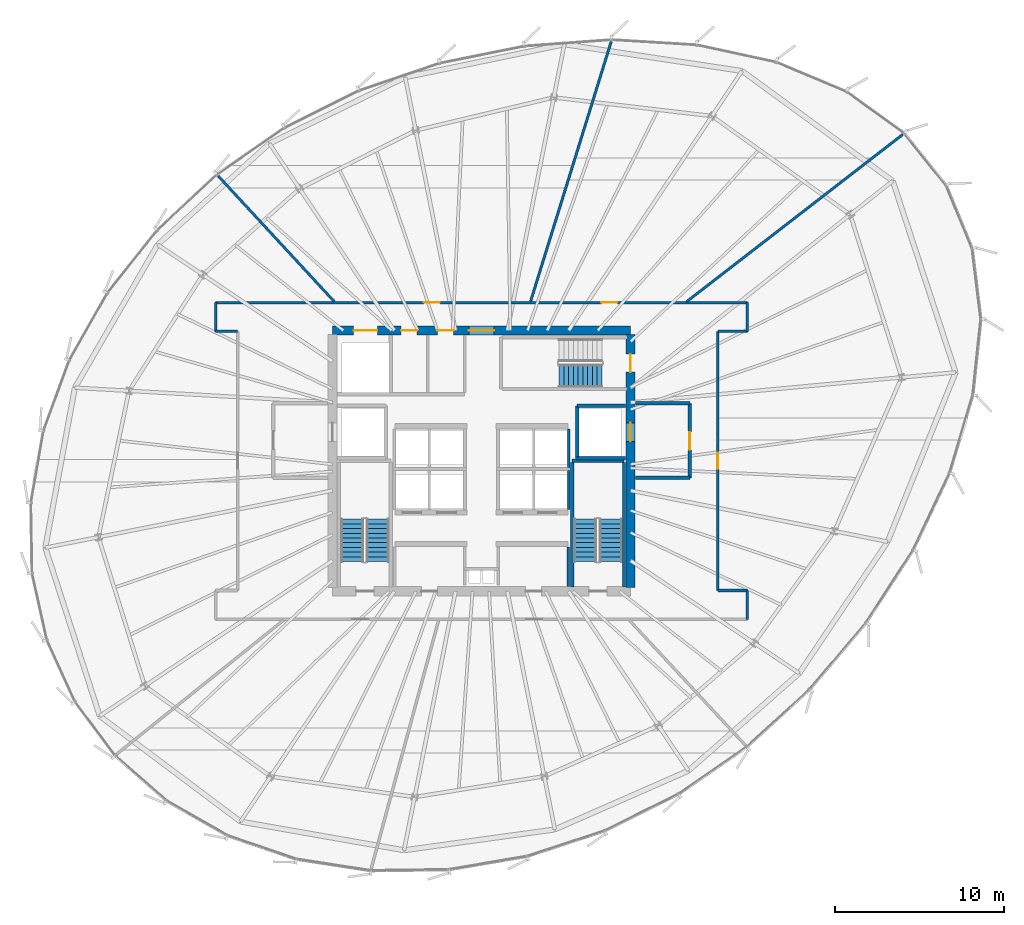
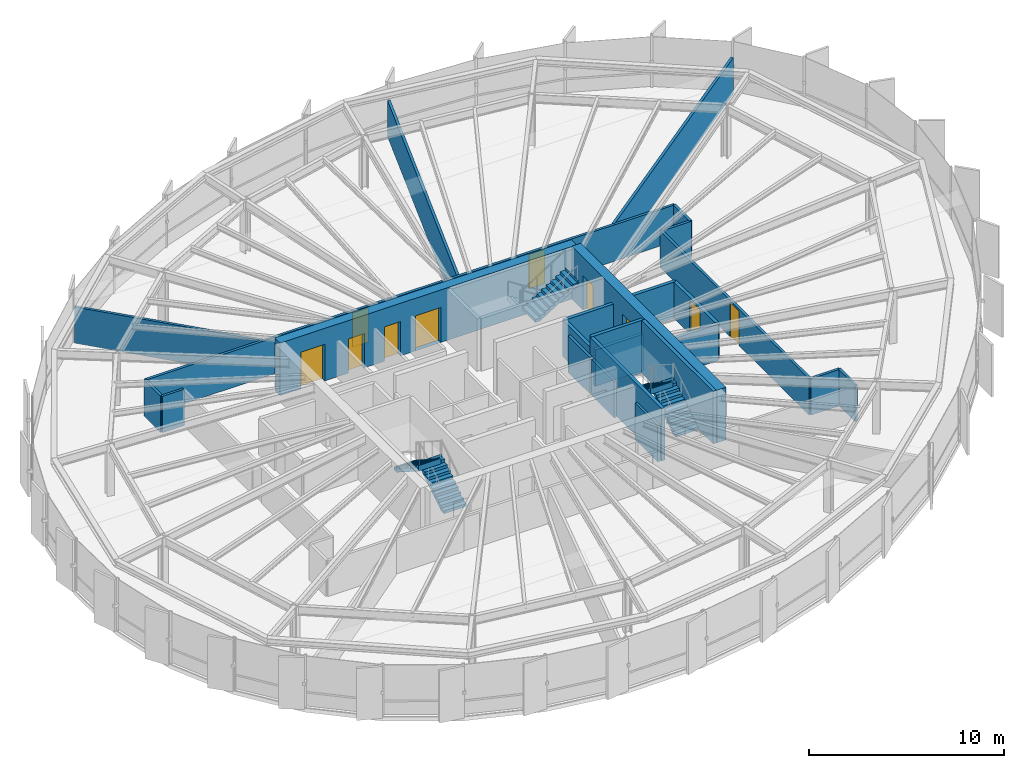
# One storey, part 27 of 32: 25 walls, 10 doors, 5 stair flights, 10 openings, 3 elements without a shape of their own.
"""IFC4 building model written with IfcOpenShell, lengths in metres."""

from ifc_helpers import new_model, si_unit, direction, frame, frame_2d, origin, place, context, subcontext, project, spatial, polyline, rectangle, outline, extrude, source, transform, mapped, material, layer, layer_set, type_object, element, fill, aggregate, save


model = new_model("IFC4")

# Units and contexts
model_context = context("Model", 3, precision=1e-05, world=origin(), true_north=direction((0.0, 1.0)))
body_context = subcontext(model_context, "Body", "Model", "MODEL_VIEW")
ifc_project = project(units=[si_unit("LENGTHUNIT", "METRE"), si_unit("AREAUNIT", "SQUARE_METRE"), si_unit("VOLUMEUNIT", "CUBIC_METRE"), si_unit("PLANEANGLEUNIT", "RADIAN"), si_unit("MASSUNIT", "GRAM", prefix="KILO"), si_unit("THERMODYNAMICTEMPERATUREUNIT", "KELVIN")], contexts=[model_context])

# Site, building, storey
site_placement = place(None, origin())
site = spatial("IfcSite", under=ifc_project, at=site_placement, CompositionType="ELEMENT")
building_placement = place(site_placement, origin())
building = spatial("IfcBuilding", under=site, at=building_placement, Name="Kethvar Cultural Tower", CompositionType="ELEMENT")
storey_placement = place(building_placement, frame((0.0, 0.0, 157.199951171875)))
storey = spatial("IfcBuildingStorey", under=building, at=storey_placement, Name="L40", CompositionType="ELEMENT", Elevation=157.199951171875)

# Wall, openings, doors
ifc_material_1 = material(Name="Concrete C60/75", Category="concrete")
ifc_layer_1 = layer(ifc_material_1, 0.550048828125, Name="Concrete C60/75", Category="concrete")
ifc_layer_set_1 = layer_set([ifc_layer_1], Name="Concrete C60/75 (550 mm)")
wall_type_1 = type_object("IfcWallType", Name="WL-CORE-550", PredefinedType="SHEAR", material=ifc_layer_set_1)
wall_1_placement = place(storey_placement, frame((55.60009765625, 35.5, 0.0), z_axis=(0.0, 0.0, 1.0), x_axis=(-1.0, 0.0, 0.0)))
wall_1 = element("IfcWall", 1, at=wall_1_placement, inside=storey, type_object=wall_type_1, Name="L40 Core Shear Wall N", PredefinedType="SHEAR", context=body_context, shape_type="SweptSolid", body=[
    extrude(rectangle(XDim=17.60009765625, YDim=0.550048828125, at=frame_2d((8.800048828125, 0.0))), origin(), (0.0, 0.0, 1.0), 3.300048828125),
])
opening_1_placement = place(wall_1_placement, frame((8.050048828125, 0.0, 0.0)))
opening_1 = element("IfcOpeningElement", 2, at=opening_1_placement, cuts=wall_1, Name="Opening D-L40-LN", PredefinedType="OPENING", context=body_context, shape_type="SweptSolid", body=[
    extrude(rectangle(XDim=1.5, YDim=2.199951171875, at=frame_2d((0.75, 1.10009765625))), frame((0.0, 0.284912109375, 0.0), z_axis=(0.0, -1.0, 0.0), x_axis=(1.0, 0.0, 0.0)), (0.0, 0.0, 1.0), 0.570068359375),
])
opening_2_placement = place(wall_1_placement, frame((14.949951171875, 0.0, 0.0)))
opening_2 = element("IfcOpeningElement", 3, at=opening_2_placement, cuts=wall_1, Name="Opening LD-G1", PredefinedType="OPENING", context=body_context, shape_type="SweptSolid", body=[
    extrude(rectangle(XDim=1.39990234375, YDim=2.300048828125, at=frame_2d((0.699951171875, 1.14990234375))), frame((0.0, 0.284912109375, 0.0), z_axis=(0.0, -1.0, 0.0), x_axis=(1.0, 0.0, 0.0)), (0.0, 0.0, 1.0), 0.570068359375),
])
opening_3_placement = place(wall_1_placement, frame((12.60009765625, 0.0, 0.0)))
opening_3 = element("IfcOpeningElement", 4, at=opening_3_placement, cuts=wall_1, Name="Opening D-L40-W1", PredefinedType="OPENING", context=body_context, shape_type="SweptSolid", body=[
    extrude(rectangle(XDim=0.949951171875, YDim=2.14990234375, at=frame_2d((0.47509765625, 1.074951171875))), frame((0.0, 0.284912109375, 0.0), z_axis=(0.0, -1.0, 0.0), x_axis=(1.0, 0.0, 0.0)), (0.0, 0.0, 1.0), 0.570068359375),
])
opening_4_placement = place(wall_1_placement, frame((10.449951171875, 0.0, 0.0)))
opening_4 = element("IfcOpeningElement", 5, at=opening_4_placement, cuts=wall_1, Name="Opening D-L40-W2", PredefinedType="OPENING", context=body_context, shape_type="SweptSolid", body=[
    extrude(rectangle(XDim=0.949951171875, YDim=2.14990234375, at=frame_2d((0.47509765625, 1.074951171875))), frame((0.0, 0.284912109375, 0.0), z_axis=(0.0, -1.0, 0.0), x_axis=(1.0, 0.0, 0.0)), (0.0, 0.0, 1.0), 0.570068359375),
])
ifc_material_2 = material(Name="Architectural Oak Timber", Category="wood")
door_type_1 = type_object("IfcDoorType", Name="DR-DBL-FD60-1500", OperationType="DOUBLE_DOOR_SINGLE_SWING", PredefinedType="DOOR", material=ifc_material_2)
shared_shape_1 = source(origin(), body_context, "Body", "SweptSolid", [
    extrude(rectangle(XDim=1.5, YDim=2.199951171875, at=frame_2d((0.75, 1.10009765625))), frame((0.0, 0.02490234375, 0.0), z_axis=(0.0, -1.0, 0.0), x_axis=(1.0, 0.0, 0.0)), (0.0, 0.0, 1.0), 0.050048828125),
])
door_1_placement = place(opening_1_placement, origin())
door_1 = element("IfcDoor", 6, at=door_1_placement, inside=storey, type_object=door_type_1, Name="L40 Lift Lobby Concourse Door", OperationType="DOUBLE_DOOR_SINGLE_SWING", OverallHeight=2.199951171875, OverallWidth=1.5, PredefinedType="DOOR", context=body_context, shape_type="MappedRepresentation", body=[
    mapped(shared_shape_1, transform((0.0, 0.0, 0.0), scale=1.0)),
])
fill(opening_1, door_1)
ifc_material_3 = material(Name="Steel S355J2", Category="steel")
door_type_2 = type_object("IfcDoorType", Name="DR-LIFT-SLIDE-1400", OperationType="NOTDEFINED", PredefinedType="DOOR", material=ifc_material_3)
shared_shape_2 = source(origin(), body_context, "Body", "SweptSolid", [
    extrude(rectangle(XDim=1.39990234375, YDim=2.300048828125, at=frame_2d((0.699951171875, 1.14990234375))), frame((0.0, 0.02490234375, 0.0), z_axis=(0.0, -1.0, 0.0), x_axis=(1.0, 0.0, 0.0)), (0.0, 0.0, 1.0), 0.050048828125),
])
door_2_placement = place(opening_2_placement, origin())
door_2 = element("IfcDoor", 7, at=door_2_placement, inside=storey, type_object=door_type_2, Name="L40 Goods Lift Landing Door", OperationType="SLIDING_TO_RIGHT", OverallHeight=2.300048828125, OverallWidth=1.39990234375, PredefinedType="DOOR", context=body_context, shape_type="MappedRepresentation", body=[
    mapped(shared_shape_2, transform((0.0, 0.0, 0.0), scale=1.0)),
])
fill(opening_2, door_2)
door_type_3 = type_object("IfcDoorType", Name="DR-FD30-950", OperationType="NOTDEFINED", PredefinedType="DOOR", material=ifc_material_2)
shared_shape_3 = source(origin(), body_context, "Body", "SweptSolid", [
    extrude(rectangle(XDim=0.949951171875, YDim=2.14990234375, at=frame_2d((0.47509765625, 1.074951171875))), frame((0.0, 0.02490234375, 0.0), z_axis=(0.0, -1.0, 0.0), x_axis=(1.0, 0.0, 0.0)), (0.0, 0.0, 1.0), 0.050048828125),
])
door_3_placement = place(opening_3_placement, origin())
door_3 = element("IfcDoor", 8, at=door_3_placement, inside=storey, type_object=door_type_3, Name="L40 Accessible Washroom Door", OperationType="SINGLE_SWING_LEFT", OverallHeight=2.14990234375, OverallWidth=0.949951171875, PredefinedType="DOOR", context=body_context, shape_type="MappedRepresentation", body=[
    mapped(shared_shape_3, transform((0.0, 0.0, 0.0), scale=1.0)),
])
fill(opening_3, door_3)
door_4_placement = place(opening_4_placement, origin())
door_4 = element("IfcDoor", 9, at=door_4_placement, inside=storey, type_object=door_type_3, Name="L40 Public Washroom Door", OperationType="SINGLE_SWING_RIGHT", OverallHeight=2.14990234375, OverallWidth=0.949951171875, PredefinedType="DOOR", context=body_context, shape_type="MappedRepresentation", body=[
    mapped(shared_shape_3, transform((0.0, 0.0, 0.0), scale=1.0)),
])
fill(opening_4, door_4)

wall_2_placement = place(storey_placement, frame((55.60009765625, 20.340087890625, 0.0), z_axis=(0.0, 0.0, 1.0), x_axis=(0.0, 1.0, 0.0)))
wall_2 = element("IfcWall", 10, at=wall_2_placement, inside=storey, type_object=wall_type_1, Name="L40 Core Shear Wall E", PredefinedType="SHEAR", context=body_context, shape_type="SweptSolid", body=[
    extrude(rectangle(XDim=14.919921875, YDim=0.550048828125, at=frame_2d((7.4599609375, 0.0))), origin(), (0.0, 0.0, 1.0), 3.300048828125),
])
opening_5_placement = place(wall_2_placement, frame((12.7099609375, 0.0, 0.0)))
opening_5 = element("IfcOpeningElement", 11, at=opening_5_placement, cuts=wall_2, Name="Opening D-L40-S3", PredefinedType="OPENING", context=body_context, shape_type="SweptSolid", body=[
    extrude(rectangle(XDim=1.050048828125, YDim=2.14990234375, at=frame_2d((0.52490234375, 1.074951171875))), frame((0.0, 0.284912109375, 0.0), z_axis=(0.0, -1.0, 0.0), x_axis=(1.0, 0.0, 0.0)), (0.0, 0.0, 1.0), 0.570068359375),
])
opening_6_placement = place(wall_2_placement, frame((8.610107421875, 0.0, 0.0)))
opening_6 = element("IfcOpeningElement", 12, at=opening_6_placement, cuts=wall_2, Name="Opening LD-2", PredefinedType="OPENING", context=body_context, shape_type="SweptSolid", body=[
    extrude(rectangle(XDim=1.10009765625, YDim=2.199951171875, at=frame_2d((0.550048828125, 1.10009765625))), frame((0.0, 0.284912109375, 0.0), z_axis=(0.0, -1.0, 0.0), x_axis=(1.0, 0.0, 0.0)), (0.0, 0.0, 1.0), 0.570068359375),
])
door_type_4 = type_object("IfcDoorType", Name="DR-FD60-1050", OperationType="NOTDEFINED", PredefinedType="DOOR", material=ifc_material_3)
shared_shape_4 = source(origin(), body_context, "Body", "SweptSolid", [
    extrude(rectangle(XDim=1.050048828125, YDim=2.14990234375, at=frame_2d((0.52490234375, 1.074951171875))), frame((0.0, 0.02490234375, 0.0), z_axis=(0.0, -1.0, 0.0), x_axis=(1.0, 0.0, 0.0)), (0.0, 0.0, 1.0), 0.050048828125),
])
door_5_placement = place(opening_5_placement, origin())
door_5 = element("IfcDoor", 13, at=door_5_placement, inside=storey, type_object=door_type_4, Name="L40 Exit Stair 3 Door", OperationType="SINGLE_SWING_LEFT", OverallHeight=2.14990234375, OverallWidth=1.050048828125, PredefinedType="DOOR", context=body_context, shape_type="MappedRepresentation", body=[
    mapped(shared_shape_4, transform((0.0, 0.0, 0.0), scale=1.0)),
])
fill(opening_5, door_5)
door_type_5 = type_object("IfcDoorType", Name="DR-LIFT-SLIDE-1100", OperationType="NOTDEFINED", PredefinedType="DOOR", material=ifc_material_3)
shared_shape_5 = source(origin(), body_context, "Body", "SweptSolid", [
    extrude(rectangle(XDim=1.10009765625, YDim=2.199951171875, at=frame_2d((0.550048828125, 1.10009765625))), frame((0.0, 0.02490234375, 0.0), z_axis=(0.0, -1.0, 0.0), x_axis=(1.0, 0.0, 0.0)), (0.0, 0.0, 1.0), 0.050048828125),
])
door_6_placement = place(opening_6_placement, origin())
door_6 = element("IfcDoor", 14, at=door_6_placement, inside=storey, type_object=door_type_5, Name="L40 Firefighting Lift Landing Door FFL-02", OperationType="SLIDING_TO_RIGHT", OverallHeight=2.199951171875, OverallWidth=1.10009765625, PredefinedType="DOOR", context=body_context, shape_type="MappedRepresentation", body=[
    mapped(shared_shape_5, transform((0.0, 0.0, 0.0), scale=1.0)),
])
fill(opening_6, door_6)

# Walls
ifc_material_4 = material(Name="Gypsum Fireboard Partition")
ifc_layer_2 = layer(ifc_material_4, 0.14990234375, Name="Gypsum Fireboard Partition")
ifc_layer_set_2 = layer_set([ifc_layer_2], Name="Gypsum Fireboard Partition (150 mm)")
wall_type_2 = type_object("IfcWallType", Name="WL-FIRE-150", PredefinedType="PARTITIONING", material=ifc_layer_set_2)
wall_3_placement = place(storey_placement, frame((51.919921875, 20.385009765625, 0.0), z_axis=(0.0, 0.0, 1.0), x_axis=(0.0, 1.0, 0.0)))
element("IfcWall", 15, at=wall_3_placement, inside=storey, type_object=wall_type_2, Name="L40 Reclaimed East Outer Wall", PredefinedType="PARTITIONING", context=body_context, shape_type="SweptSolid", body=[
    extrude(rectangle(XDim=2.344970703125, YDim=0.14990234375, at=frame_2d((1.17236328125, 0.0))), origin(), (0.0, 0.0, 1.0), 2.280029296875),
])
wall_4_placement = place(storey_placement, frame((51.949951171875, 24.919921875, 0.0), z_axis=(0.0, 0.0, 1.0), x_axis=(0.0, 1.0, 0.0)))
element("IfcWall", 16, at=wall_4_placement, inside=storey, type_object=wall_type_2, Name="L40 Mid-Rise Lift Shaft Outer Wall E", PredefinedType="PARTITIONING", context=body_context, shape_type="SweptSolid", body=[
    extrude(rectangle(XDim=2.320068359375, YDim=0.14990234375, at=frame_2d((1.16015625, 0.0))), origin(), (0.0, 0.0, 1.0), 2.280029296875),
])
wall_5_placement = place(storey_placement, frame((51.949951171875, 27.409912109375, 0.0), z_axis=(0.0, 0.0, 1.0), x_axis=(0.0, 1.0, 0.0)))
element("IfcWall", 17, at=wall_5_placement, inside=storey, type_object=wall_type_2, Name="L40 High-Rise Lift Shaft Outer Wall E", PredefinedType="PARTITIONING", context=body_context, shape_type="SweptSolid", body=[
    extrude(rectangle(XDim=2.27001953125, YDim=0.14990234375, at=frame_2d((1.135009765625, 0.0))), origin(), (0.0, 0.0, 1.0), 2.280029296875),
])
wall_6_placement = place(storey_placement, frame((62.5, 18.449951171875, 0.0), z_axis=(0.0, 0.0, 1.0), x_axis=(0.0, 1.0, 0.0)))
element("IfcWall", 18, at=wall_6_placement, inside=storey, type_object=wall_type_2, Name="L40 Corridor Rated Wall ES", PredefinedType="PARTITIONING", context=body_context, shape_type="SweptSolid", body=[
    extrude(rectangle(XDim=1.699951171875, YDim=0.14990234375, at=frame_2d((0.85009765625, 0.0))), origin(), (0.0, 0.0, 1.0), 2.280029296875),
])
wall_7_placement = place(storey_placement, frame((62.5, 20.14990234375, 0.0), z_axis=(0.0, 0.0, 1.0), x_axis=(-1.0, 0.0, 0.0)))
element("IfcWall", 19, at=wall_7_placement, inside=storey, type_object=wall_type_2, Name="L40 Corridor Rated Wall EST", PredefinedType="PARTITIONING", context=body_context, shape_type="SweptSolid", body=[
    extrude(rectangle(XDim=1.75, YDim=0.14990234375, at=frame_2d((0.875, 0.0))), origin(), (0.0, 0.0, 1.0), 2.280029296875),
])

# Wall, opening, door
wall_8_placement = place(storey_placement, frame((60.75, 20.14990234375, 0.0), z_axis=(0.0, 0.0, 1.0), x_axis=(0.0, 1.0, 0.0)))
wall_8 = element("IfcWall", 20, at=wall_8_placement, inside=storey, type_object=wall_type_2, Name="L40 Corridor Rated Wall EM", PredefinedType="PARTITIONING", context=body_context, shape_type="SweptSolid", body=[
    extrude(rectangle(XDim=15.300048828125, YDim=0.14990234375, at=frame_2d((7.64990234375, 0.0))), origin(), (0.0, 0.0, 1.0), 2.280029296875),
])
opening_7_placement = place(wall_8_placement, frame((7.175048828125, 0.0, 0.0)))
opening_7 = element("IfcOpeningElement", 21, at=opening_7_placement, cuts=wall_8, Name="Opening D-L40-03", PredefinedType="OPENING", context=body_context, shape_type="SweptSolid", body=[
    extrude(rectangle(XDim=0.949951171875, YDim=2.14990234375, at=frame_2d((0.47509765625, 1.074951171875))), frame((0.0, 0.0849609375, 0.0), z_axis=(0.0, -1.0, 0.0), x_axis=(1.0, 0.0, 0.0)), (0.0, 0.0, 1.0), 0.169921875),
])
door_7_placement = place(opening_7_placement, origin())
door_7 = element("IfcDoor", 22, at=door_7_placement, inside=storey, type_object=door_type_3, Name="L40 Researchers' Study Lounge 03 Door", OperationType="SINGLE_SWING_LEFT", OverallHeight=2.14990234375, OverallWidth=0.949951171875, PredefinedType="DOOR", context=body_context, shape_type="MappedRepresentation", body=[
    mapped(shared_shape_3, transform((0.0, 0.0, 0.0), scale=1.0)),
])
fill(opening_7, door_7)

# Walls
wall_9_placement = place(storey_placement, frame((60.75, 35.449951171875, 0.0), z_axis=(0.0, 0.0, 1.0), x_axis=(1.0, 0.0, 0.0)))
element("IfcWall", 23, at=wall_9_placement, inside=storey, type_object=wall_type_2, Name="L40 Corridor Rated Wall ENT", PredefinedType="PARTITIONING", context=body_context, shape_type="SweptSolid", body=[
    extrude(rectangle(XDim=1.75, YDim=0.14990234375, at=frame_2d((0.875, 0.0))), origin(), (0.0, 0.0, 1.0), 2.280029296875),
])
wall_10_placement = place(storey_placement, frame((62.5, 35.449951171875, 0.0), z_axis=(0.0, 0.0, 1.0), x_axis=(0.0, 1.0, 0.0)))
element("IfcWall", 24, at=wall_10_placement, inside=storey, type_object=wall_type_2, Name="L40 Corridor Rated Wall EN", PredefinedType="PARTITIONING", context=body_context, shape_type="SweptSolid", body=[
    extrude(rectangle(XDim=1.699951171875, YDim=0.14990234375, at=frame_2d((0.85009765625, 0.0))), origin(), (0.0, 0.0, 1.0), 2.280029296875),
])

# Wall, openings, doors
wall_11_placement = place(storey_placement, frame((62.5, 37.14990234375, 0.0), z_axis=(0.0, 0.0, 1.0), x_axis=(-1.0, 0.0, 0.0)))
wall_11 = element("IfcWall", 25, at=wall_11_placement, inside=storey, type_object=wall_type_2, Name="L40 Corridor Rated Wall N", PredefinedType="PARTITIONING", context=body_context, shape_type="SweptSolid", body=[
    extrude(rectangle(XDim=31.39990234375, YDim=0.14990234375, at=frame_2d((15.699951171875, 0.0))), origin(), (0.0, 0.0, 1.0), 2.280029296875),
])
opening_8_placement = place(wall_11_placement, frame((7.677734375, 0.0, 0.0)))
opening_8 = element("IfcOpeningElement", 26, at=opening_8_placement, cuts=wall_11, Name="Opening D-L40-04", PredefinedType="OPENING", context=body_context, shape_type="SweptSolid", body=[
    extrude(rectangle(XDim=0.949951171875, YDim=2.14990234375, at=frame_2d((0.47509765625, 1.074951171875))), frame((0.0, 0.0849609375, 0.0), z_axis=(0.0, -1.0, 0.0), x_axis=(1.0, 0.0, 0.0)), (0.0, 0.0, 1.0), 0.169921875),
])
opening_9_placement = place(wall_11_placement, frame((18.15087890625, 0.0, 0.0)))
opening_9 = element("IfcOpeningElement", 27, at=opening_9_placement, cuts=wall_11, Name="Opening D-L40-05", PredefinedType="OPENING", context=body_context, shape_type="SweptSolid", body=[
    extrude(rectangle(XDim=0.949951171875, YDim=2.14990234375, at=frame_2d((0.47509765625, 1.074951171875))), frame((0.0, 0.0849609375, 0.0), z_axis=(0.0, -1.0, 0.0), x_axis=(1.0, 0.0, 0.0)), (0.0, 0.0, 1.0), 0.169921875),
])
door_8_placement = place(opening_8_placement, origin())
door_8 = element("IfcDoor", 28, at=door_8_placement, inside=storey, type_object=door_type_3, Name="L40 Cultural Event Salon 04 Door", OperationType="SINGLE_SWING_RIGHT", OverallHeight=2.14990234375, OverallWidth=0.949951171875, PredefinedType="DOOR", context=body_context, shape_type="MappedRepresentation", body=[
    mapped(shared_shape_3, transform((0.0, 0.0, 0.0), scale=1.0)),
])
fill(opening_8, door_8)
door_9_placement = place(opening_9_placement, origin())
door_9 = element("IfcDoor", 29, at=door_9_placement, inside=storey, type_object=door_type_3, Name="L40 Founders' Reception 05 Door", OperationType="SINGLE_SWING_LEFT", OverallHeight=2.14990234375, OverallWidth=0.949951171875, PredefinedType="DOOR", context=body_context, shape_type="MappedRepresentation", body=[
    mapped(shared_shape_3, transform((0.0, 0.0, 0.0), scale=1.0)),
])
fill(opening_9, door_9)

# Walls
wall_12_placement = place(storey_placement, frame((31.10009765625, 37.14990234375, 0.0), z_axis=(0.0, 0.0, 1.0), x_axis=(0.0, -1.0, 0.0)))
element("IfcWall", 30, at=wall_12_placement, inside=storey, type_object=wall_type_2, Name="L40 Corridor Rated Wall WN", PredefinedType="PARTITIONING", context=body_context, shape_type="SweptSolid", body=[
    extrude(rectangle(XDim=1.699951171875, YDim=0.14990234375, at=frame_2d((0.85009765625, 0.0))), origin(), (0.0, 0.0, 1.0), 2.280029296875),
])
wall_13_placement = place(storey_placement, frame((31.10009765625, 35.449951171875, 0.0), z_axis=(0.0, 0.0, 1.0), x_axis=(1.0, 0.0, 0.0)))
element("IfcWall", 31, at=wall_13_placement, inside=storey, type_object=wall_type_2, Name="L40 Corridor Rated Wall WNT", PredefinedType="PARTITIONING", context=body_context, shape_type="SweptSolid", body=[
    extrude(rectangle(XDim=1.2998046875, YDim=0.14990234375, at=frame_2d((0.64990234375, 0.0))), origin(), (0.0, 0.0, 1.0), 2.280029296875),
])
ifc_material_5 = material(Name="Concrete C40/50", Category="concrete")
ifc_layer_3 = layer(ifc_material_5, 0.199951171875, Name="Concrete C40/50", Category="concrete")
ifc_layer_set_3 = layer_set([ifc_layer_3], Name="Concrete C40/50 (200 mm)")
wall_type_3 = type_object("IfcWallType", Name="WL-FIRE-200", PredefinedType="PARTITIONING", material=ifc_layer_set_3)
wall_14_placement = place(storey_placement, frame((52.449951171875, 27.949951171875, 0.0), z_axis=(0.0, 0.0, 1.0), x_axis=(0.0, 1.0, 0.0)))
element("IfcWall", 32, at=wall_14_placement, inside=storey, type_object=wall_type_3, Name="L40 FFL-02 Shaft Inner Wall", PredefinedType="PARTITIONING", context=body_context, shape_type="SweptSolid", body=[
    extrude(rectangle(XDim=3.10009765625, YDim=0.199951171875, at=frame_2d((1.550048828125, 0.0))), origin(), (0.0, 0.0, 1.0), 2.280029296875),
])
for number, where, z_axis, x_axis, name in (
    (33, (52.449951171875, 27.949951171875, 0.0), (0.0, 0.0, 1.0), (1.0, 0.0, 0.0), "L40 FFL-02 Shaft South Wall"),
    (34, (52.449951171875, 31.050048828125, 0.0), (0.0, 0.0, 1.0), (1.0, 0.0, 0.0), "L40 FFL-02 Shaft North Wall"),
):
    element("IfcWall", number, at=place(storey_placement, frame(where, z_axis=z_axis, x_axis=x_axis)), inside=storey, type_object=wall_type_3, Name=name, PredefinedType="PARTITIONING", context=body_context, shape_type="SweptSolid", body=[
        extrude(rectangle(XDim=2.864990234375, YDim=0.199951171875, at=frame_2d((1.4326171875, 0.0))), origin(), (0.0, 0.0, 1.0), 2.280029296875),
    ])

# Wall, opening, door
wall_15_placement = place(storey_placement, frame((59.10009765625, 26.800048828125, 0.0), z_axis=(0.0, 0.0, 1.0), x_axis=(0.0, 1.0, 0.0)))
wall_15 = element("IfcWall", 35, at=wall_15_placement, inside=storey, type_object=wall_type_3, Name="L40 Firefighting Lobby 2 Wall", PredefinedType="PARTITIONING", context=body_context, shape_type="SweptSolid", body=[
    extrude(rectangle(XDim=4.39990234375, YDim=0.199951171875, at=frame_2d((2.199951171875, 0.0))), origin(), (0.0, 0.0, 1.0), 2.280029296875),
])
opening_10_placement = place(wall_15_placement, frame((1.64990234375, 0.0, 0.0)))
opening_10 = element("IfcOpeningElement", 36, at=opening_10_placement, cuts=wall_15, Name="Opening D-L40-F2", PredefinedType="OPENING", context=body_context, shape_type="SweptSolid", body=[
    extrude(rectangle(XDim=1.050048828125, YDim=2.14990234375, at=frame_2d((0.52490234375, 1.074951171875))), frame((0.0, 0.10986328125, 0.0), z_axis=(0.0, -1.0, 0.0), x_axis=(1.0, 0.0, 0.0)), (0.0, 0.0, 1.0), 0.219970703125),
])
door_10_placement = place(opening_10_placement, origin())
door_10 = element("IfcDoor", 37, at=door_10_placement, inside=storey, type_object=door_type_4, Name="L40 Firefighting Lobby 2 Fire Door", OperationType="SINGLE_SWING_LEFT", OverallHeight=2.14990234375, OverallWidth=1.050048828125, PredefinedType="DOOR", context=body_context, shape_type="MappedRepresentation", body=[
    mapped(shared_shape_4, transform((0.0, 0.0, 0.0), scale=1.0)),
])
fill(opening_10, door_10)

# Walls
for number, where, z_axis, x_axis, name in (
    (38, (55.885009765625, 26.800048828125, 0.0), (0.0, 0.0, 1.0), (1.0, 0.0, 0.0), "L40 FF Lobby 2 South Wall"),
    (39, (55.885009765625, 31.199951171875, 0.0), (0.0, 0.0, 1.0), (1.0, 0.0, 0.0), "L40 FF Lobby 2 North Wall"),
):
    element("IfcWall", number, at=place(storey_placement, frame(where, z_axis=z_axis, x_axis=x_axis)), inside=storey, type_object=wall_type_3, Name=name, PredefinedType="PARTITIONING", context=body_context, shape_type="SweptSolid", body=[
        extrude(rectangle(XDim=3.215087890625, YDim=0.199951171875, at=frame_2d((1.607421875, 0.0))), origin(), (0.0, 0.0, 1.0), 2.280029296875),
    ])
ifc_material_6 = material(Name="Gypsum Acoustic Partition")
ifc_layer_4 = layer(ifc_material_6, 0.14990234375, Name="Gypsum Acoustic Partition")
ifc_layer_set_4 = layer_set([ifc_layer_4], Name="Gypsum Acoustic Partition (150 mm)")
wall_type_4 = type_object("IfcWallType", Name="WL-PART-150", PredefinedType="PARTITIONING", material=ifc_layer_set_4)
wall_16_placement = place(storey_placement, frame((58.90478515625, 37.198974609375, 0.0), z_axis=(0.0, 0.0, 1.0), x_axis=(0.791018028547, 0.611792839541, 0.0)))
element("IfcWall", 40, at=wall_16_placement, inside=storey, type_object=wall_type_4, Name="L40 Radial Partition Wall 04", PredefinedType="PARTITIONING", context=body_context, shape_type="SweptSolid", body=[
    extrude(rectangle(XDim=16.1337890625, YDim=0.14990234375, at=frame_2d((8.06689453125, 0.0))), origin(), (0.0, 0.0, 1.0), 2.280029296875),
])
wall_17_placement = place(storey_placement, frame((49.699951171875, 37.226318359375, 0.0), z_axis=(0.0, 0.0, 1.0), x_axis=(0.296377685756, 0.955070817995, 0.0)))
element("IfcWall", 41, at=wall_17_placement, inside=storey, type_object=wall_type_4, Name="L40 Radial Partition Wall 05", PredefinedType="PARTITIONING", context=body_context, shape_type="SweptSolid", body=[
    extrude(rectangle(XDim=16.05078125, YDim=0.14990234375, at=frame_2d((8.025390625, 0.0))), origin(), (0.0, 0.0, 1.0), 2.280029296875),
])
wall_18_placement = place(storey_placement, frame((38.10595703125, 37.208740234375, 0.0), z_axis=(0.0, 0.0, 1.0), x_axis=(-0.678612616673, 0.734496369285, 0.0)))
element("IfcWall", 42, at=wall_18_placement, inside=storey, type_object=wall_type_4, Name="L40 Radial Partition Wall 06", PredefinedType="PARTITIONING", context=body_context, shape_type="SweptSolid", body=[
    extrude(rectangle(XDim=10.091796875, YDim=0.14990234375, at=frame_2d((5.0458984375, 0.0))), origin(), (0.0, 0.0, 1.0), 2.280029296875),
])
ifc_material_7 = material(Name="Concrete C50/60", Category="concrete")
ifc_layer_5 = layer(ifc_material_7, 0.199951171875, Name="Concrete C50/60", Category="concrete")
ifc_layer_set_5 = layer_set([ifc_layer_5], Name="Concrete C50/60 (200 mm)")
wall_type_5 = type_object("IfcWallType", Name="WL-STSHAFT-200", PredefinedType="SHEAR", material=ifc_layer_set_5)
wall_19_placement = place(storey_placement, frame((52.14990234375, 27.800048828125, 0.0), z_axis=(0.0, 0.0, 1.0), x_axis=(1.0, 0.0, 0.0)))
element("IfcWall", 43, at=wall_19_placement, inside=storey, type_object=wall_type_5, Name="L40 ST-02 Stair Shaft Wall FAR", PredefinedType="SHEAR", context=body_context, shape_type="SweptSolid", body=[
    extrude(rectangle(XDim=3.06005859375, YDim=0.199951171875, at=frame_2d((1.530029296875, 0.0))), origin(), (0.0, 0.0, 1.0), 3.300048828125),
])
for number, where, z_axis, x_axis, name in (
    (44, (55.2099609375, 27.699951171875, 0.0), (0.0, 0.0, 1.0), (0.0, -1.0, 0.0), "L40 ST-02 Stair Shaft Wall LEFT"),
    (45, (52.14990234375, 20.35009765625, 0.0), (0.0, 0.0, 1.0), (0.0, 1.0, 0.0), "L40 ST-02 Stair Shaft Wall RIGHT"),
):
    element("IfcWall", number, at=place(storey_placement, frame(where, z_axis=z_axis, x_axis=x_axis)), inside=storey, type_object=wall_type_5, Name=name, PredefinedType="SHEAR", context=body_context, shape_type="SweptSolid", body=[
        extrude(rectangle(XDim=7.349853515625, YDim=0.199951171875, at=frame_2d((3.6748046875, 0.0))), origin(), (0.0, 0.0, 1.0), 3.300048828125),
    ])

# Stair, stair flights
stair_type = type_object("IfcStairType", Name="ST-DOGLEG-135", PredefinedType="HALF_TURN_STAIR", material=ifc_material_5)
stair_1_placement = place(storey_placement, origin())
stair_1 = element("IfcStair", 46, at=stair_1_placement, inside=storey, type_object=stair_type, Name="L40 Core Exit Stair 1", PredefinedType="HALF_TURN_STAIR")
stair_flight_type = type_object("IfcStairFlightType", Name="FL-STRAIGHT-135", PredefinedType="STRAIGHT", material=ifc_material_5)
stair_flight_1_placement = place(storey_placement, frame((40.675048828125, 21.85009765625, 0.0), z_axis=(0.0, 0.0, 1.0), x_axis=(0.0, 1.0, 0.0)))
stair_flight_1 = element("IfcStairFlight", 47, at=stair_flight_1_placement, type_object=stair_flight_type, Name="ST-01 flight 1", NumberOfRisers=10, NumberOfTreads=9, PredefinedType="STRAIGHT", RiserHeight=0.1775, TreadLength=0.28, context=body_context, shape_type="SweptSolid", body=[
    extrude(outline(polyline([(-0.0009765625, -0.0009765625), (-0.0009765625, 0.177490234375), (0.280029296875, 0.177490234375), (0.280029296875, 0.35498046875), (0.56005859375, 0.35498046875), (0.56005859375, 0.532470703125), (0.840087890625, 0.532470703125), (0.840087890625, 0.7099609375), (1.1201171875, 0.7099609375), (1.1201171875, 0.887451171875), (1.39990234375, 0.887451171875), (1.39990234375, 1.06494140625), (1.679931640625, 1.06494140625), (1.679931640625, 1.242431640625), (1.9599609375, 1.242431640625), (1.9599609375, 1.419921875), (2.239990234375, 1.419921875), (2.239990234375, 1.597412109375), (2.52001953125, 1.597412109375), (2.52001953125, 1.77490234375), (2.52099609375, 1.77490234375), (2.52099609375, 1.419921875), (0.280029296875, 0.0), (0.0, -0.0009765625), (-0.0009765625, -0.0009765625)])), frame((0.0, 0.675048828125, 0.0), z_axis=(0.0, -1.0, 0.0), x_axis=(1.0, 0.0, 0.0)), (0.0, 0.0, 1.0), 1.35009765625),
])
stair_flight_2_placement = place(storey_placement, frame((39.1650390625, 24.3701171875, 1.775146484375), z_axis=(0.0, 0.0, 1.0), x_axis=(0.0, -1.0, 0.0)))
stair_flight_2 = element("IfcStairFlight", 48, at=stair_flight_2_placement, type_object=stair_flight_type, Name="ST-01 flight 2", NumberOfRisers=10, NumberOfTreads=9, PredefinedType="STRAIGHT", RiserHeight=0.1775, TreadLength=0.28, context=body_context, shape_type="SweptSolid", body=[
    extrude(outline(polyline([(-0.0009765625, -0.0009765625), (-0.0009765625, 0.177490234375), (0.280029296875, 0.177490234375), (0.280029296875, 0.35498046875), (0.56005859375, 0.35498046875), (0.56005859375, 0.532470703125), (0.840087890625, 0.532470703125), (0.840087890625, 0.7099609375), (1.1201171875, 0.7099609375), (1.1201171875, 0.887451171875), (1.39990234375, 0.887451171875), (1.39990234375, 1.06494140625), (1.679931640625, 1.06494140625), (1.679931640625, 1.242431640625), (1.9599609375, 1.242431640625), (1.9599609375, 1.419921875), (2.239990234375, 1.419921875), (2.239990234375, 1.597412109375), (2.52001953125, 1.597412109375), (2.52001953125, 1.77490234375), (2.52099609375, 1.77490234375), (2.52099609375, 1.419921875), (0.280029296875, 0.0), (0.0, -0.0009765625), (-0.0009765625, -0.0009765625)])), frame((0.0, 0.675048828125, 0.0), z_axis=(0.0, -1.0, 0.0), x_axis=(1.0, 0.0, 0.0)), (0.0, 0.0, 1.0), 1.35009765625),
])
aggregate(stair_1, [stair_flight_1, stair_flight_2])

stair_2_placement = place(storey_placement, origin())
stair_2 = element("IfcStair", 49, at=stair_2_placement, inside=storey, type_object=stair_type, Name="L40 Core Exit Stair 2", PredefinedType="HALF_TURN_STAIR")
stair_flight_3_placement = place(storey_placement, frame((54.43505859375, 21.85009765625, 0.0), z_axis=(0.0, 0.0, 1.0), x_axis=(0.0, 1.0, 0.0)))
stair_flight_3 = element("IfcStairFlight", 50, at=stair_flight_3_placement, type_object=stair_flight_type, Name="ST-02 flight 1", NumberOfRisers=10, NumberOfTreads=9, PredefinedType="STRAIGHT", RiserHeight=0.1775, TreadLength=0.28, context=body_context, shape_type="SweptSolid", body=[
    extrude(outline(polyline([(-0.0009765625, -0.0009765625), (-0.0009765625, 0.177490234375), (0.280029296875, 0.177490234375), (0.280029296875, 0.35498046875), (0.56005859375, 0.35498046875), (0.56005859375, 0.532470703125), (0.840087890625, 0.532470703125), (0.840087890625, 0.7099609375), (1.1201171875, 0.7099609375), (1.1201171875, 0.887451171875), (1.39990234375, 0.887451171875), (1.39990234375, 1.06494140625), (1.679931640625, 1.06494140625), (1.679931640625, 1.242431640625), (1.9599609375, 1.242431640625), (1.9599609375, 1.419921875), (2.239990234375, 1.419921875), (2.239990234375, 1.597412109375), (2.52001953125, 1.597412109375), (2.52001953125, 1.77490234375), (2.52099609375, 1.77490234375), (2.52099609375, 1.419921875), (0.280029296875, 0.0), (0.0, -0.0009765625), (-0.0009765625, -0.0009765625)])), frame((0.0, 0.675048828125, 0.0), z_axis=(0.0, -1.0, 0.0), x_axis=(1.0, 0.0, 0.0)), (0.0, 0.0, 1.0), 1.35009765625),
])
stair_flight_4_placement = place(storey_placement, frame((52.925048828125, 24.3701171875, 1.775146484375), z_axis=(0.0, 0.0, 1.0), x_axis=(0.0, -1.0, 0.0)))
stair_flight_4 = element("IfcStairFlight", 51, at=stair_flight_4_placement, type_object=stair_flight_type, Name="ST-02 flight 2", NumberOfRisers=10, NumberOfTreads=9, PredefinedType="STRAIGHT", RiserHeight=0.1775, TreadLength=0.28, context=body_context, shape_type="SweptSolid", body=[
    extrude(outline(polyline([(-0.0009765625, -0.0009765625), (-0.0009765625, 0.177490234375), (0.280029296875, 0.177490234375), (0.280029296875, 0.35498046875), (0.56005859375, 0.35498046875), (0.56005859375, 0.532470703125), (0.840087890625, 0.532470703125), (0.840087890625, 0.7099609375), (1.1201171875, 0.7099609375), (1.1201171875, 0.887451171875), (1.39990234375, 0.887451171875), (1.39990234375, 1.06494140625), (1.679931640625, 1.06494140625), (1.679931640625, 1.242431640625), (1.9599609375, 1.242431640625), (1.9599609375, 1.419921875), (2.239990234375, 1.419921875), (2.239990234375, 1.597412109375), (2.52001953125, 1.597412109375), (2.52001953125, 1.77490234375), (2.52099609375, 1.77490234375), (2.52099609375, 1.419921875), (0.280029296875, 0.0), (0.0, -0.0009765625), (-0.0009765625, -0.0009765625)])), frame((0.0, 0.675048828125, 0.0), z_axis=(0.0, -1.0, 0.0), x_axis=(1.0, 0.0, 0.0)), (0.0, 0.0, 1.0), 1.35009765625),
])
aggregate(stair_2, [stair_flight_3, stair_flight_4])

# Stair, stair flight
stair_3_placement = place(storey_placement, origin())
stair_3 = element("IfcStair", 52, at=stair_3_placement, inside=storey, type_object=stair_type, Name="L40 Core Exit Stair 3", PredefinedType="HALF_TURN_STAIR")
stair_flight_5_placement = place(storey_placement, frame((51.3798828125, 32.824951171875, 1.775146484375), z_axis=(0.0, 0.0, 1.0), x_axis=(1.0, 0.0, 0.0)))
stair_flight_5 = element("IfcStairFlight", 53, at=stair_flight_5_placement, type_object=stair_flight_type, Name="ST-03 flight 2", NumberOfRisers=10, NumberOfTreads=9, PredefinedType="STRAIGHT", RiserHeight=0.1775, TreadLength=0.28, context=body_context, shape_type="SweptSolid", body=[
    extrude(outline(polyline([(-0.0009765625, -0.0009765625), (-0.0009765625, 0.177490234375), (0.280029296875, 0.177490234375), (0.280029296875, 0.35498046875), (0.56005859375, 0.35498046875), (0.56005859375, 0.532470703125), (0.840087890625, 0.532470703125), (0.840087890625, 0.7099609375), (1.1201171875, 0.7099609375), (1.1201171875, 0.887451171875), (1.39990234375, 0.887451171875), (1.39990234375, 1.06494140625), (1.679931640625, 1.06494140625), (1.679931640625, 1.242431640625), (1.9599609375, 1.242431640625), (1.9599609375, 1.419921875), (2.239990234375, 1.419921875), (2.239990234375, 1.597412109375), (2.52001953125, 1.597412109375), (2.52001953125, 1.77490234375), (2.52099609375, 1.77490234375), (2.52099609375, 1.419921875), (0.280029296875, 0.0), (0.0, -0.0009765625), (-0.0009765625, -0.0009765625)])), frame((0.0, 0.675048828125, 0.0), z_axis=(0.0, -1.0, 0.0), x_axis=(1.0, 0.0, 0.0)), (0.0, 0.0, 1.0), 1.35009765625),
])
aggregate(stair_3, [stair_flight_5])

save(model, "model.ifc")
